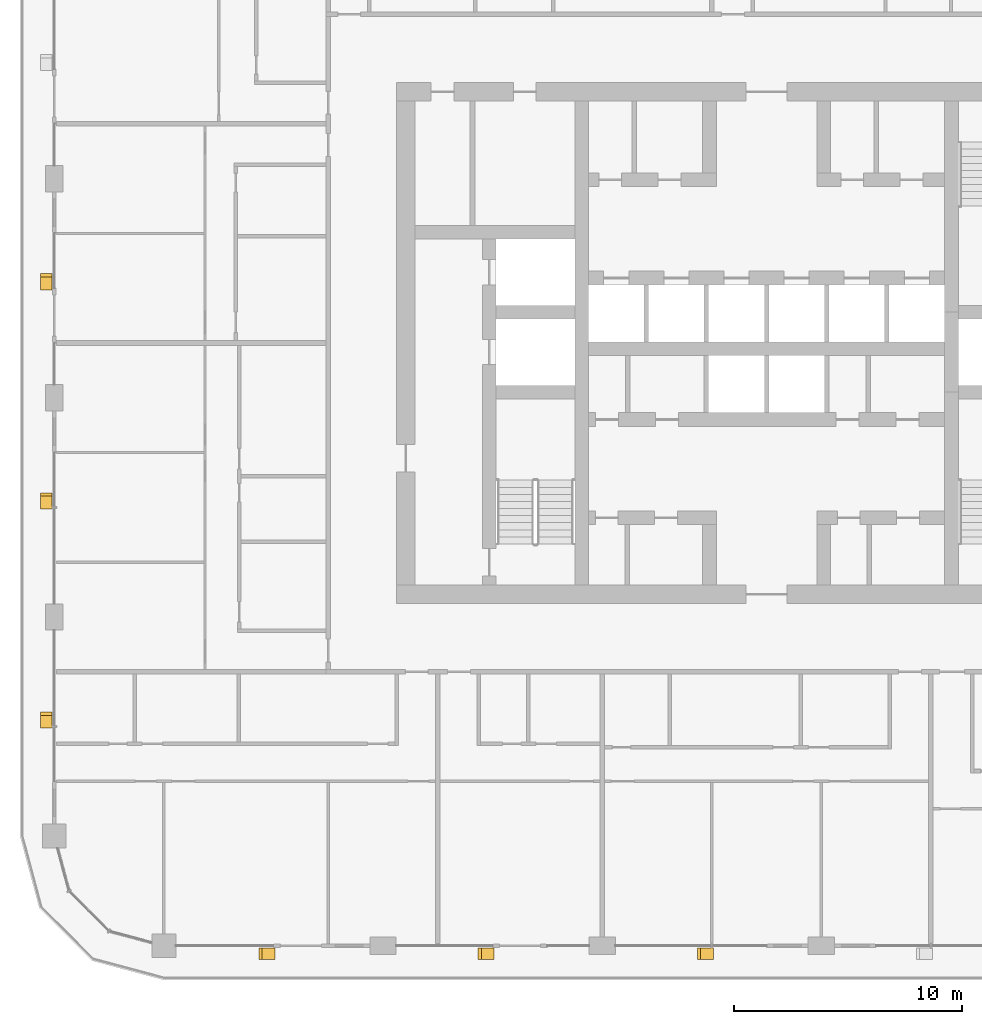
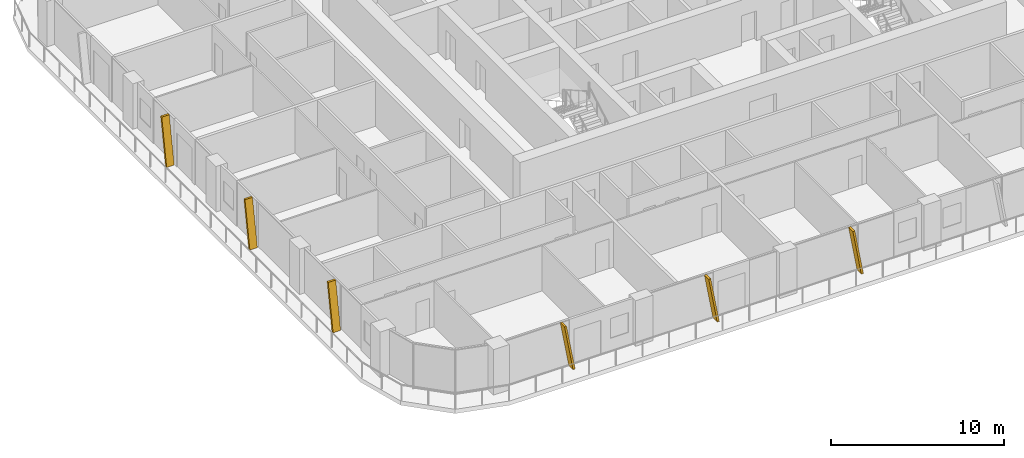
# One storey, part 17 of 22: 6 shading devices.
"""IFC4 building model written with IfcOpenShell, lengths in metres."""

from ifc_helpers import new_model, si_unit, direction, frame, origin, place, context, subcontext, project, spatial, polyline, outline, extrude, material, type_object, element, save


model = new_model("IFC4")

# Units and contexts
model_context = context("Model", 3, precision=1e-05, world=origin(), true_north=direction((0.0, 1.0)))
body_context = subcontext(model_context, "Body", "Model", "MODEL_VIEW")
ifc_project = project(units=[si_unit("LENGTHUNIT", "METRE"), si_unit("AREAUNIT", "SQUARE_METRE"), si_unit("VOLUMEUNIT", "CUBIC_METRE"), si_unit("PLANEANGLEUNIT", "RADIAN"), si_unit("MASSUNIT", "GRAM", prefix="KILO")], contexts=[model_context])

# Site, building, storey
site_placement = place(None, origin())
site = spatial("IfcSite", under=ifc_project, at=site_placement, CompositionType="ELEMENT")
building_placement = place(site_placement, origin())
building = spatial("IfcBuilding", under=site, at=building_placement, Name="Madar Terraces", CompositionType="ELEMENT")
storey_placement = place(building_placement, frame((0.0, 0.0, 166.5)))
storey = spatial("IfcBuildingStorey", under=building, at=storey_placement, Name="L43", CompositionType="ELEMENT", Elevation=166.5)

# Shading devices
ifc_material = material(Name="Aluminium, black anodised", Category="aluminium")
shading_device_type = type_object("IfcShadingDeviceType", Name="Facade fin blade 140 x 500", PredefinedType="USERDEFINED", material=ifc_material)
shading_device_1_placement = place(storey_placement, frame((9.530029296875, -0.35009765625, 0.0), z_axis=(0.0, 0.0, 1.0), x_axis=(1.0, 0.0, 0.0)))
element("IfcShadingDevice", 1, at=shading_device_1_placement, inside=storey, type_object=shading_device_type, Name="FIN L43 S1", ObjectType="FIN", PredefinedType="USERDEFINED", context=body_context, shape_type="SweptSolid", body=[
    extrude(outline(polyline([(0.0, 0.0), (0.139892578125, 0.0), (-0.42431640625, 3.199951171875), (-0.564208984375, 3.199951171875), (0.0, 0.0)])), frame((0.0, 0.25, 0.0), z_axis=(0.0, -1.0, 0.0), x_axis=(1.0, 0.0, 0.0)), (0.0, 0.0, 1.0), 0.5),
])
for number, where, z_axis, x_axis, name in (
    (2, (19.1298828125, -0.35009765625, 0.0), (0.0, 0.0, 1.0), (1.0, 0.0, 0.0), "FIN L43 S2"),
    (3, (28.72998046875, -0.35009765625, 0.0), (0.0, 0.0, 1.0), (1.0, 0.0, 0.0), "FIN L43 S3"),
    (4, (-0.35009765625, 28.8701171875, 0.0), (0.0, 0.0, 1.0), (0.0, -1.0, 0.0), "FIN L43 W2"),
    (5, (-0.35009765625, 19.27001953125, 0.0), (0.0, 0.0, 1.0), (0.0, -1.0, 0.0), "FIN L43 W3"),
):
    element("IfcShadingDevice", number, at=place(storey_placement, frame(where, z_axis=z_axis, x_axis=x_axis)), inside=storey, type_object=shading_device_type, Name=name, ObjectType="FIN", PredefinedType="USERDEFINED", context=body_context, shape_type="SweptSolid", body=[
        extrude(outline(polyline([(0.0, 0.0), (0.14013671875, 0.0), (-0.42431640625, 3.199951171875), (-0.564208984375, 3.199951171875), (0.0, 0.0)])), frame((0.0, 0.25, 0.0), z_axis=(0.0, -1.0, 0.0), x_axis=(1.0, 0.0, 0.0)), (0.0, 0.0, 1.0), 0.5),
    ])
shading_device_2_placement = place(storey_placement, frame((-0.35009765625, 9.669921875, 0.0), z_axis=(0.0, 0.0, 1.0), x_axis=(0.0, -1.0, 0.0)))
element("IfcShadingDevice", 6, at=shading_device_2_placement, inside=storey, type_object=shading_device_type, Name="FIN L43 W4", ObjectType="FIN", PredefinedType="USERDEFINED", context=body_context, shape_type="SweptSolid", body=[
    extrude(outline(polyline([(0.0, 0.0), (0.139892578125, 0.0), (-0.42431640625, 3.199951171875), (-0.564208984375, 3.199951171875), (0.0, 0.0)])), frame((0.0, 0.25, 0.0), z_axis=(0.0, -1.0, 0.0), x_axis=(1.0, 0.0, 0.0)), (0.0, 0.0, 1.0), 0.5),
])

save(model, "model.ifc")
